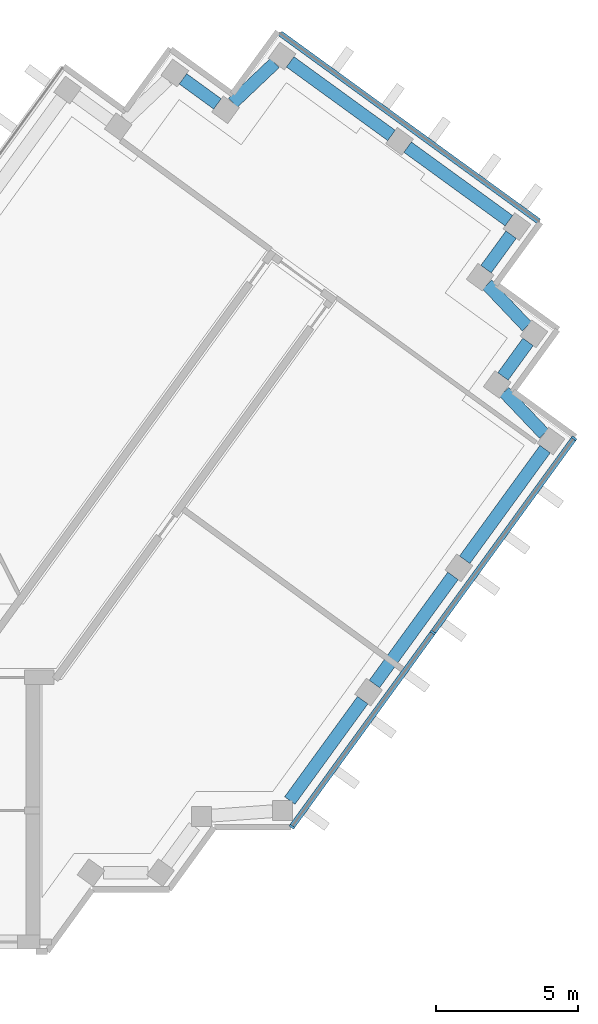
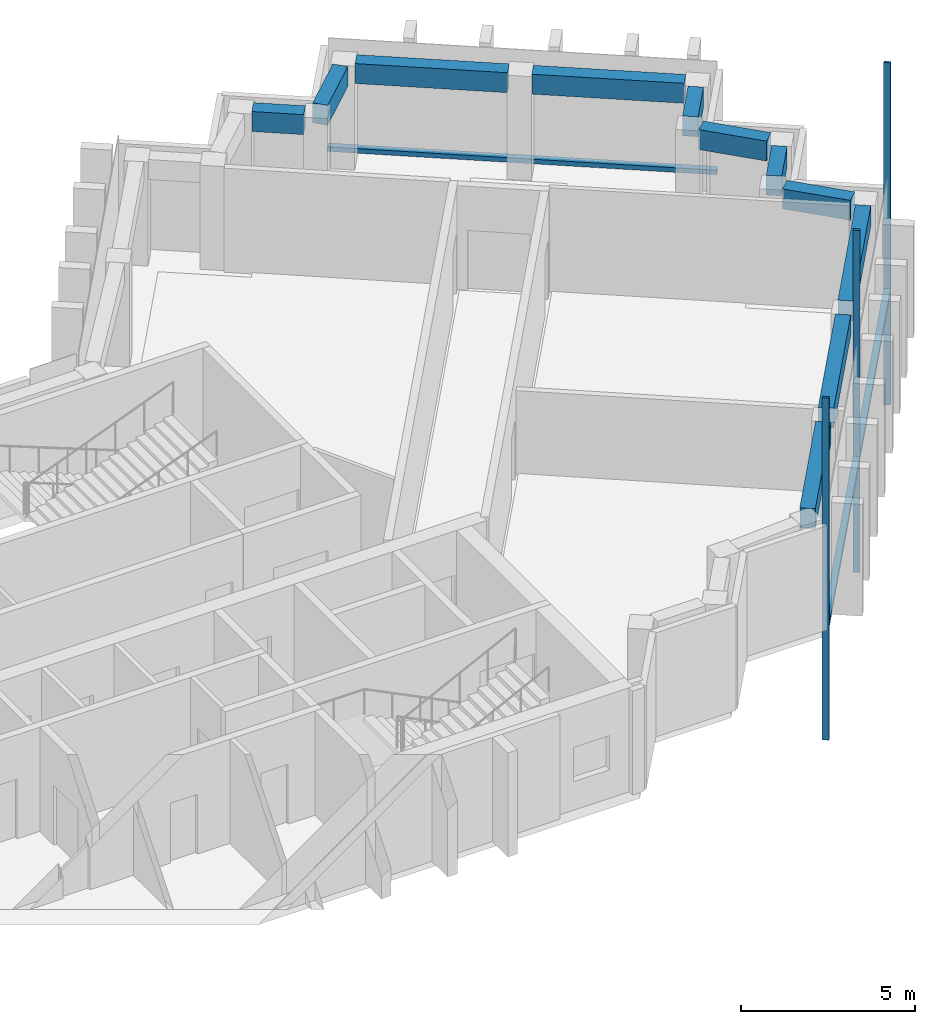
"""IFC4 building model written with IfcOpenShell, lengths in metres."""

from ifc_helpers import new_model, si_unit, direction, frame, origin, origin_2d, place, context, subcontext, project, spatial, rectangle, extrude, material, material_profile, profile_set, type_object, element, aggregate, save


model = new_model("IFC4")

# Units and contexts
model_context = context("Model", 3, precision=1e-05, world=origin(), true_north=direction((0.0, 1.0)))
body_context = subcontext(model_context, "Body", "Model", "MODEL_VIEW")
ifc_project = project(units=[si_unit("LENGTHUNIT", "METRE"), si_unit("AREAUNIT", "SQUARE_METRE"), si_unit("VOLUMEUNIT", "CUBIC_METRE"), si_unit("PLANEANGLEUNIT", "RADIAN"), si_unit("MASSUNIT", "GRAM", prefix="KILO")], contexts=[model_context])

# Site, building, storey
site_placement = place(None, origin())
site = spatial("IfcSite", under=ifc_project, at=site_placement, CompositionType="ELEMENT")
building_placement = place(site_placement, origin())
building = spatial("IfcBuilding", under=site, at=building_placement, Name="Quipu Civic Tower", CompositionType="ELEMENT")
storey_1_placement = place(building_placement, frame((0.0, 0.0, 339.0)))
storey_1 = spatial("IfcBuildingStorey", under=building, at=storey_1_placement, Name="L79", CompositionType="ELEMENT", Elevation=339.0)

# Curtain wall, members
ifc_material_1 = material(Name="Insulated glass unit", Category="glass")
curtain_wall_type = type_object("IfcCurtainWallType", Name="Office curtain wall CW1", PredefinedType="NOTDEFINED", material=ifc_material_1)
curtain_wall_1_placement = place(storey_1_placement, origin())
curtain_wall_1 = element("IfcCurtainWall", 1, at=curtain_wall_1_placement, inside=storey_1, type_object=curtain_wall_type, Name="Office curtain wall CW1 L78 run 4", PredefinedType="NOTDEFINED")
ifc_material_2 = material(Name="Anodised aluminium", Category="aluminium")
ifc_material_profile_1 = material_profile(ifc_material_2, rectangle(XDim=0.199951171875, YDim=0.080078125, at=origin_2d()), Name="RECT 200x80")
ifc_profile_set_1 = profile_set([ifc_material_profile_1], Name="Anodised aluminium")
member_type_1 = type_object("IfcMemberType", Name="Mullion CW1", PredefinedType="MULLION", material=ifc_profile_set_1)
member_1_placement = place(storey_1_placement, frame((28.853271484375, -6.698974609375, -3.919921875), z_axis=(0.0, 0.0, 1.0), x_axis=(-0.809016278475, 0.587786237643, 0.0)))
member_1 = element("IfcMember", 2, at=member_1_placement, type_object=member_type_1, Name="CW1 mullion 1", PredefinedType="MULLION", context=body_context, shape_type="SweptSolid", body=[
    extrude(rectangle(XDim=0.199951171875, YDim=0.080078125, at=origin_2d()), origin(), (0.0, 0.0, 1.0), 12.0),
])
member_2_placement = place(storey_1_placement, frame((33.81298828125, 0.12744140625, -3.919921875), z_axis=(0.0, 0.0, 1.0), x_axis=(-0.809016278475, 0.587786237643, 0.0)))
member_2 = element("IfcMember", 3, at=member_2_placement, type_object=member_type_1, Name="CW1 mullion 2", PredefinedType="MULLION", context=body_context, shape_type="SweptSolid", body=[
    extrude(rectangle(XDim=0.199951171875, YDim=0.080078125, at=origin_2d()), origin(), (0.0, 0.0, 1.0), 12.0),
])
member_3_placement = place(storey_1_placement, frame((38.772705078125, 6.953857421875, -3.919921875), z_axis=(0.0, 0.0, 1.0), x_axis=(-0.809016278475, 0.587786237643, 0.0)))
member_3 = element("IfcMember", 4, at=member_3_placement, type_object=member_type_1, Name="CW1 mullion 3", PredefinedType="MULLION", context=body_context, shape_type="SweptSolid", body=[
    extrude(rectangle(XDim=0.199951171875, YDim=0.080078125, at=origin_2d()), origin(), (0.0, 0.0, 1.0), 12.0),
])

# Beams
ifc_material_3 = material(Name="Concrete C50/60", Category="concrete")
ifc_material_profile_2 = material_profile(ifc_material_3, rectangle(XDim=0.449951171875, YDim=0.699951171875, at=origin_2d()), Name="RC450x700")
ifc_profile_set_2 = profile_set([ifc_material_profile_2], Name="Concrete C50/60")
beam_type = type_object("IfcBeamType", Name="Spandrel beam RC 450x700 C50/60", PredefinedType="SPANDREL", material=ifc_profile_set_2)
beam_1_placement = place(storey_1_placement, frame((28.779296875, -5.780029296875, 3.300048828125), z_axis=(0.58777550284, 0.809024077677, 0.0), x_axis=(-0.809024077677, 0.58777550284, 0.0)))
element("IfcBeam", 5, at=beam_1_placement, inside=storey_1, type_object=beam_type, Name="Spandrel beam L79 J-Eo.4 to E-OUT-01", PredefinedType="SPANDREL", context=body_context, shape_type="SweptSolid", body=[
    extrude(rectangle(XDim=0.449951171875, YDim=0.699951171875, at=origin_2d()), origin(), (0.0, 0.0, 1.0), 4.36083984375),
])
beam_2_placement = place(storey_1_placement, frame((31.75390625, -1.685546875, 3.300048828125), z_axis=(0.587788656305, 0.809014521204, 0.0), x_axis=(-0.809014521204, 0.587788656305, 0.0)))
element("IfcBeam", 6, at=beam_2_placement, inside=storey_1, type_object=beam_type, Name="Spandrel beam L79 E-OUT-01 to E-OUT-02", PredefinedType="SPANDREL", context=body_context, shape_type="SweptSolid", body=[
    extrude(rectangle(XDim=0.449951171875, YDim=0.699951171875, at=origin_2d()), origin(), (0.0, 0.0, 1.0), 4.7001953125),
])
beam_3_placement = place(storey_1_placement, frame((34.927978515625, 2.68310546875, 3.300048828125), z_axis=(0.587905928359, 0.808929304328, 0.0), x_axis=(-0.808929304328, 0.587905928359, 0.0)))
element("IfcBeam", 7, at=beam_3_placement, inside=storey_1, type_object=beam_type, Name="Spandrel beam L79 E-OUT-02 to T-Eo.0-E22", PredefinedType="SPANDREL", context=body_context, shape_type="SweptSolid", body=[
    extrude(rectangle(XDim=0.449951171875, YDim=0.699951171875, at=origin_2d()), origin(), (0.0, 0.0, 1.0), 4.80712890625),
])
beam_4_placement = place(storey_1_placement, frame((37.71484375, 7.11279296875, 3.300048828125), z_axis=(-0.689175330605, 0.724594620244, 0.0), x_axis=(-0.724594620244, -0.689175330605, 0.0)))
element("IfcBeam", 8, at=beam_4_placement, inside=storey_1, type_object=beam_type, Name="Spandrel beam L79 T-Eo.0-E22 to T-Eo.1-E22", PredefinedType="SPANDREL", context=body_context, shape_type="SweptSolid", body=[
    extrude(rectangle(XDim=0.449951171875, YDim=0.699951171875, at=origin_2d()), origin(), (0.0, 0.0, 1.0), 2.033447265625),
])
beam_5_placement = place(storey_1_placement, frame((36.273681640625, 9.12744140625, 3.300048828125), z_axis=(0.587164895097, 0.809467347066, 0.0), x_axis=(-0.809467347066, 0.587164895097, 0.0)))
element("IfcBeam", 9, at=beam_5_placement, inside=storey_1, type_object=beam_type, Name="Spandrel beam L79 T-Eo.1-E22 to T-Eo.2-E22", PredefinedType="SPANDREL", context=body_context, shape_type="SweptSolid", body=[
    extrude(rectangle(XDim=0.449951171875, YDim=0.699951171875, at=origin_2d()), origin(), (0.0, 0.0, 1.0), 1.500244140625),
])
beam_6_placement = place(storey_1_placement, frame((37.114990234375, 10.88330078125, 3.300048828125), z_axis=(-0.688247466856, 0.725475998477, 0.0), x_axis=(-0.725475998477, -0.688247466856, 0.0)))
element("IfcBeam", 10, at=beam_6_placement, inside=storey_1, type_object=beam_type, Name="Spandrel beam L79 T-Eo.2-E22 to T-Eo.3-E22", PredefinedType="SPANDREL", context=body_context, shape_type="SweptSolid", body=[
    extrude(rectangle(XDim=0.449951171875, YDim=0.699951171875, at=origin_2d()), origin(), (0.0, 0.0, 1.0), 2.032958984375),
])
beam_7_placement = place(storey_1_placement, frame((35.6767578125, 12.8994140625, 3.300048828125), z_axis=(0.588345920092, 0.808609348394, 0.0), x_axis=(-0.808609348394, 0.588345920092, 0.0)))
element("IfcBeam", 11, at=beam_7_placement, inside=storey_1, type_object=beam_type, Name="Spandrel beam L79 T-Eo.3-E22 to T-Eo.4-E22", PredefinedType="SPANDREL", context=body_context, shape_type="SweptSolid", body=[
    extrude(rectangle(XDim=0.449951171875, YDim=0.699951171875, at=origin_2d()), origin(), (0.0, 0.0, 1.0), 1.499755859375),
])
beam_8_placement = place(storey_1_placement, frame((36.481689453125, 14.6005859375, 3.300048828125), z_axis=(-0.809117270763, 0.587647208921, 0.0), x_axis=(-0.587647208921, -0.809117270763, 0.0)))
element("IfcBeam", 12, at=beam_8_placement, inside=storey_1, type_object=beam_type, Name="Spandrel beam L79 T-Eo.4-E22 to TIP-E-01-E22", PredefinedType="SPANDREL", context=body_context, shape_type="SweptSolid", body=[
    extrude(rectangle(XDim=0.449951171875, YDim=0.699951171875, at=origin_2d()), origin(), (0.0, 0.0, 1.0), 4.40185546875),
])
beam_9_placement = place(storey_1_placement, frame((32.353759765625, 17.5986328125, 3.300048828125), z_axis=(-0.809146152767, 0.587607439931, 0.0), x_axis=(-0.587607439931, -0.809146152767, 0.0)))
element("IfcBeam", 13, at=beam_9_placement, inside=storey_1, type_object=beam_type, Name="Spandrel beam L79 TIP-E-01-E22 to T-Ei.0-E22", PredefinedType="SPANDREL", context=body_context, shape_type="SweptSolid", body=[
    extrude(rectangle(XDim=0.449951171875, YDim=0.699951171875, at=origin_2d()), origin(), (0.0, 0.0, 1.0), 4.400390625),
])
beam_10_placement = place(storey_1_placement, frame((28.251708984375, 20.14501953125, 3.300048828125), z_axis=(-0.725359138958, -0.688370626574, 0.0), x_axis=(0.688370626574, -0.725359138958, 0.0)))
element("IfcBeam", 14, at=beam_10_placement, inside=storey_1, type_object=beam_type, Name="Spandrel beam L79 T-Ei.0-E22 to T-Ei.1-E22", PredefinedType="SPANDREL", context=body_context, shape_type="SweptSolid", body=[
    extrude(rectangle(XDim=0.449951171875, YDim=0.699951171875, at=origin_2d()), origin(), (0.0, 0.0, 1.0), 2.032958984375),
])
beam_11_placement = place(storey_1_placement, frame((26.236083984375, 18.70654296875, 3.300048828125), z_axis=(-0.808644589435, 0.588297482553, 0.0), x_axis=(-0.588297482553, -0.808644589435, 0.0)))
element("IfcBeam", 15, at=beam_11_placement, inside=storey_1, type_object=beam_type, Name="Spandrel beam L79 T-Ei.1-E22 to T-Ei.2-E22", PredefinedType="SPANDREL", context=body_context, shape_type="SweptSolid", body=[
    extrude(rectangle(XDim=0.449951171875, YDim=0.699951171875, at=origin_2d()), origin(), (0.0, 0.0, 1.0), 1.500244140625),
])

# Storey
storey_2_placement = place(building_placement, frame((0.0, 0.0, 335.0)))
storey_2 = spatial("IfcBuildingStorey", under=building, at=storey_2_placement, Name="L78", CompositionType="ELEMENT", Elevation=335.0)

# Curtain wall, member
curtain_wall_2_placement = place(storey_2_placement, origin())
curtain_wall_2 = element("IfcCurtainWall", 16, at=curtain_wall_2_placement, inside=storey_2, type_object=curtain_wall_type, Name="Office curtain wall CW1 L77 run 21", PredefinedType="NOTDEFINED")
ifc_material_4 = material(Name="Anodised aluminium", Category="aluminium")
ifc_material_profile_3 = material_profile(ifc_material_4, rectangle(XDim=0.199951171875, YDim=0.159912109375, at=origin_2d()), Name="RECT 200x160")
ifc_profile_set_3 = profile_set([ifc_material_profile_3], Name="Anodised aluminium")
member_type_2 = type_object("IfcMemberType", Name="Transom CW1", PredefinedType="USERDEFINED", material=ifc_profile_set_3)
member_4_placement = place(storey_1_placement, frame((37.536865234375, 14.575927734375, 0.080078125), z_axis=(-0.809022463805, 0.587777724194, 0.0), x_axis=(-0.587777724194, -0.809022463805, 0.0)))
member_4 = element("IfcMember", 17, at=member_4_placement, inside=storey_1, type_object=member_type_2, Name="CW1 transom 1.3", ObjectType="TRANSOM", PredefinedType="USERDEFINED", context=body_context, shape_type="SweptSolid", body=[
    extrude(rectangle(XDim=0.199951171875, YDim=0.159912109375, at=origin_2d()), origin(), (0.0, 0.0, 1.0), 11.240234375),
])
aggregate(curtain_wall_2, [member_4])

# Member
member_5_placement = place(storey_1_placement, frame((28.876708984375, -6.66650390625, 0.080078125), z_axis=(0.587812107925, 0.808997481935, 0.0), x_axis=(-0.808997481935, 0.587812107925, 0.0)))
member_5 = element("IfcMember", 18, at=member_5_placement, type_object=member_type_2, Name="CW1 transom 1.2", ObjectType="TRANSOM", PredefinedType="USERDEFINED", context=body_context, shape_type="SweptSolid", body=[
    extrude(rectangle(XDim=0.199951171875, YDim=0.159912109375, at=origin_2d()), origin(), (0.0, 0.0, 1.0), 8.35791015625),
])

member_6_placement = place(storey_1_placement, frame((33.83642578125, 0.15966796875, 0.080078125), z_axis=(0.587779098815, 0.809021465102, 0.0), x_axis=(-0.809021465102, 0.587779098815, 0.0)))
member_6 = element("IfcMember", 19, at=member_6_placement, type_object=member_type_2, Name="CW1 transom 2.2", ObjectType="TRANSOM", PredefinedType="USERDEFINED", context=body_context, shape_type="SweptSolid", body=[
    extrude(rectangle(XDim=0.199951171875, YDim=0.159912109375, at=origin_2d()), origin(), (0.0, 0.0, 1.0), 8.35791015625),
])

aggregate(curtain_wall_1, [member_1, member_2, member_3, member_5, member_6])

save(model, "model.ifc")
